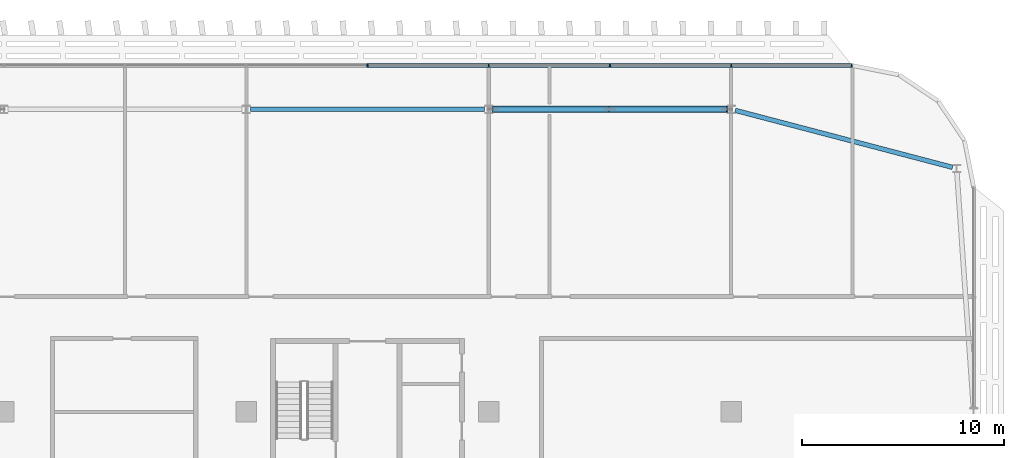
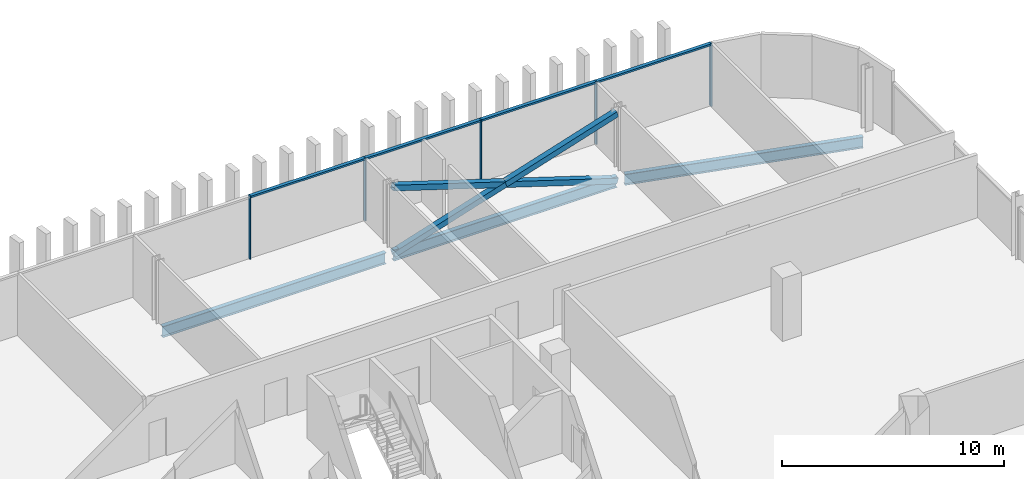
# One storey, part 14 of 32: 12 members, 3 beams, 1 element without a shape of its own.
"""IFC4 building model written with IfcOpenShell, lengths in metres."""

from ifc_helpers import new_model, si_unit, direction, frame, origin, origin_2d, place, context, subcontext, project, spatial, rectangle, hollow_rectangle, i_section, extrude, material, material_profile, profile_set, type_object, element, aggregate, save


model = new_model("IFC4")

# Units and contexts
model_context = context("Model", 3, precision=1e-05, world=origin(), true_north=direction((0.0, 1.0)))
body_context = subcontext(model_context, "Body", "Model", "MODEL_VIEW")
ifc_project = project(units=[si_unit("LENGTHUNIT", "METRE"), si_unit("AREAUNIT", "SQUARE_METRE"), si_unit("VOLUMEUNIT", "CUBIC_METRE"), si_unit("PLANEANGLEUNIT", "RADIAN"), si_unit("MASSUNIT", "GRAM", prefix="KILO")], contexts=[model_context])

# Site, building, storey
site_placement = place(None, origin())
site = spatial("IfcSite", under=ifc_project, at=site_placement, CompositionType="ELEMENT")
building_placement = place(site_placement, origin())
building = spatial("IfcBuilding", under=site, at=building_placement, Name="Mahtab Terrace Research Tower", CompositionType="ELEMENT")
storey_placement = place(building_placement, frame((0.0, 0.0, 232.39990234375)))
storey = spatial("IfcBuildingStorey", under=building, at=storey_placement, Name="L56", CompositionType="ELEMENT", Elevation=232.39990234375)

# Members
ifc_material_1 = material(Name="Steel ASTM A500 Gr C", Category="steel")
ifc_material_profile_1 = material_profile(ifc_material_1, hollow_rectangle(XDim=0.3046875, YDim=0.3046875, WallThickness=0.015869140625, at=origin_2d()), Name="HSS12X12X5/8")
ifc_profile_set_1 = profile_set([ifc_material_profile_1], Name="Steel ASTM A500 Gr C")
member_type_1 = type_object("IfcMemberType", Name="HSS 12x12x5/8 brace XB121258", PredefinedType="BRACE", material=ifc_profile_set_1)
member_1_placement = place(storey_placement, frame((41.800537109375, 26.472900390625, -0.580322265625), z_axis=(-0.953338568311, 0.0, 0.301903252998), x_axis=(0.0, -1.0, 0.0)))
element("IfcMember", 1, at=member_1_placement, inside=storey, type_object=member_type_1, Name="Exoskeleton brace L56 02 a", PredefinedType="BRACE", context=body_context, shape_type="SweptSolid", body=[
    extrude(hollow_rectangle(XDim=0.3046875, YDim=0.3046875, WallThickness=0.015869140625, at=origin_2d()), origin(), (0.0, 0.0, 1.0), 12.1689453125),
])
for number, where, z_axis, x_axis, name in (
    (2, (30.199462890625, 26.472900390625, -0.580322265625), (0.953338568311, 0.0, 0.301903252998), (0.0, 1.0, 0.0), "Exoskeleton brace L56 02 b1"),
    (3, (36.0, 26.472900390625, 1.256591796875), (0.953338568311, 0.0, 0.301903252998), (0.0, 1.0, 0.0), "Exoskeleton brace L56 02 b2"),
):
    element("IfcMember", number, at=place(storey_placement, frame(where, z_axis=z_axis, x_axis=x_axis)), inside=storey, type_object=member_type_1, Name=name, PredefinedType="BRACE", context=body_context, shape_type="SweptSolid", body=[
        extrude(hollow_rectangle(XDim=0.3046875, YDim=0.3046875, WallThickness=0.015869140625, at=origin_2d()), origin(), (0.0, 0.0, 1.0), 6.08447265625),
    ])

# Curtain wall, members
ifc_material_2 = material(Name="Office ribbon curtain wall")
curtain_wall_type = type_object("IfcCurtainWallType", Name="Office ribbon curtain wall", PredefinedType="NOTDEFINED", material=ifc_material_2)
curtain_wall_placement = place(storey_placement, origin())
curtain_wall = element("IfcCurtainWall", 4, at=curtain_wall_placement, inside=storey, type_object=curtain_wall_type, Name="EN.L56.3.3", PredefinedType="NOTDEFINED")
ifc_material_3 = material(Name="Natural anodised aluminium", Category="aluminium")
ifc_material_profile_2 = material_profile(ifc_material_3, rectangle(XDim=0.179931640625, YDim=0.06005859375, at=origin_2d()), Name="MULLION 60x180")
ifc_profile_set_2 = profile_set([ifc_material_profile_2], Name="Natural anodised aluminium")
member_type_2 = type_object("IfcMemberType", Name="Office ribbon curtain wall mullion", PredefinedType="MULLION", material=ifc_profile_set_2)
member_2_placement = place(storey_placement, frame((47.969970703125, 28.638916015625, 0.0), z_axis=(0.0, 0.0, 1.0), x_axis=(0.0, -1.0, 0.0)))
member_2 = element("IfcMember", 5, at=member_2_placement, type_object=member_type_2, Name="CWO-7 mullion 1", PredefinedType="MULLION", context=body_context, shape_type="SweptSolid", body=[
    extrude(rectangle(XDim=0.179931640625, YDim=0.06005859375, at=origin_2d()), origin(), (0.0, 0.0, 1.0), 3.460205078125),
])
member_3_placement = place(storey_placement, frame((42.0, 28.638916015625, 0.0), z_axis=(0.0, 0.0, 1.0), x_axis=(0.0, -1.0, 0.0)))
member_3 = element("IfcMember", 6, at=member_3_placement, type_object=member_type_2, Name="CWO-7 mullion 2", PredefinedType="MULLION", context=body_context, shape_type="SweptSolid", body=[
    extrude(rectangle(XDim=0.179931640625, YDim=0.06005859375, at=origin_2d()), origin(), (0.0, 0.0, 1.0), 3.460205078125),
])
member_4_placement = place(storey_placement, frame((36.0, 28.638916015625, 0.0), z_axis=(0.0, 0.0, 1.0), x_axis=(0.0, -1.0, 0.0)))
member_4 = element("IfcMember", 7, at=member_4_placement, type_object=member_type_2, Name="CWO-7 mullion 3", PredefinedType="MULLION", context=body_context, shape_type="SweptSolid", body=[
    extrude(rectangle(XDim=0.179931640625, YDim=0.06005859375, at=origin_2d()), origin(), (0.0, 0.0, 1.0), 3.460205078125),
])
member_5_placement = place(storey_placement, frame((30.0, 28.638916015625, 0.0), z_axis=(0.0, 0.0, 1.0), x_axis=(0.0, -1.0, 0.0)))
member_5 = element("IfcMember", 8, at=member_5_placement, type_object=member_type_2, Name="CWO-7 mullion 4", PredefinedType="MULLION", context=body_context, shape_type="SweptSolid", body=[
    extrude(rectangle(XDim=0.179931640625, YDim=0.06005859375, at=origin_2d()), origin(), (0.0, 0.0, 1.0), 3.460205078125),
])
member_6_placement = place(storey_placement, frame((24.0, 28.638916015625, 0.0), z_axis=(0.0, 0.0, 1.0), x_axis=(0.0, -1.0, 0.0)))
member_6 = element("IfcMember", 9, at=member_6_placement, type_object=member_type_2, Name="CWO-7 mullion 5", PredefinedType="MULLION", context=body_context, shape_type="SweptSolid", body=[
    extrude(rectangle(XDim=0.179931640625, YDim=0.06005859375, at=origin_2d()), origin(), (0.0, 0.0, 1.0), 3.460205078125),
])
ifc_material_profile_3 = material_profile(ifc_material_3, rectangle(XDim=0.179931640625, YDim=0.10009765625, at=origin_2d()), Name="TRANSOM 100x180")
ifc_profile_set_3 = profile_set([ifc_material_profile_3], Name="Natural anodised aluminium")
member_type_3 = type_object("IfcMemberType", Name="Office ribbon curtain wall transom", PredefinedType="USERDEFINED", material=ifc_profile_set_3)
member_7_placement = place(storey_placement, frame((47.93994140625, 28.638916015625, 3.41015625), z_axis=(-1.0, 0.0, 0.0), x_axis=(0.0, -1.0, 0.0)))
member_7 = element("IfcMember", 10, at=member_7_placement, type_object=member_type_3, Name="CWO-7 transom 1", ObjectType="TRANSOM", PredefinedType="USERDEFINED", context=body_context, shape_type="SweptSolid", body=[
    extrude(rectangle(XDim=0.179931640625, YDim=0.10009765625, at=origin_2d()), origin(), (0.0, 0.0, 1.0), 5.909912109375),
])
member_8_placement = place(storey_placement, frame((41.969970703125, 28.638916015625, 3.41015625), z_axis=(-1.0, 0.0, 0.0), x_axis=(0.0, -1.0, 0.0)))
member_8 = element("IfcMember", 11, at=member_8_placement, type_object=member_type_3, Name="CWO-7 transom 2", ObjectType="TRANSOM", PredefinedType="USERDEFINED", context=body_context, shape_type="SweptSolid", body=[
    extrude(rectangle(XDim=0.179931640625, YDim=0.10009765625, at=origin_2d()), origin(), (0.0, 0.0, 1.0), 5.93994140625),
])
member_9_placement = place(storey_placement, frame((35.969970703125, 28.638916015625, 3.41015625), z_axis=(-1.0, 0.0, 0.0), x_axis=(0.0, -1.0, 0.0)))
member_9 = element("IfcMember", 12, at=member_9_placement, type_object=member_type_3, Name="CWO-7 transom 3", ObjectType="TRANSOM", PredefinedType="USERDEFINED", context=body_context, shape_type="SweptSolid", body=[
    extrude(rectangle(XDim=0.179931640625, YDim=0.10009765625, at=origin_2d()), origin(), (0.0, 0.0, 1.0), 5.93994140625),
])
member_10_placement = place(storey_placement, frame((29.969970703125, 28.638916015625, 3.41015625), z_axis=(-1.0, 0.0, 0.0), x_axis=(0.0, -1.0, 0.0)))
member_10 = element("IfcMember", 13, at=member_10_placement, type_object=member_type_3, Name="CWO-7 transom 4", ObjectType="TRANSOM", PredefinedType="USERDEFINED", context=body_context, shape_type="SweptSolid", body=[
    extrude(rectangle(XDim=0.179931640625, YDim=0.10009765625, at=origin_2d()), origin(), (0.0, 0.0, 1.0), 5.93994140625),
])
aggregate(curtain_wall, [member_2, member_3, member_4, member_5, member_6, member_7, member_8, member_9, member_10])

# Beams
ifc_material_4 = material(Name="Steel ASTM A992 Gr 50", Category="steel")
ifc_material_profile_4 = material_profile(ifc_material_4, i_section(OverallWidth=0.228271484375, OverallDepth=0.607177734375, WebThickness=0.01123046875, FlangeThickness=0.017333984375, at=origin_2d()), Name="W24X76")
ifc_profile_set_4 = profile_set([ifc_material_profile_4], Name="Steel ASTM A992 Gr 50")
beam_type = type_object("IfcBeamType", Name="W24x76 beam BS2476", PredefinedType="BEAM", material=ifc_profile_set_4)
beam_placement = place(storey_placement, frame((52.95458984375, 23.598388671875, -0.6435546875), z_axis=(-0.967252058434, 0.253817760323, 0.0), x_axis=(-0.253817760323, -0.967252058434, 0.0)))
element("IfcBeam", 14, at=beam_placement, inside=storey, type_object=beam_type, Name="Spandrel beam L56 01", PredefinedType="BEAM", context=body_context, shape_type="SweptSolid", body=[
    extrude(i_section(OverallWidth=0.228271484375, OverallDepth=0.607177734375, WebThickness=0.01123046875, FlangeThickness=0.017333984375, at=origin_2d()), origin(), (0.0, 0.0, 1.0), 11.119140625),
])
for number, where, z_axis, x_axis, name in (
    (15, (41.800537109375, 26.472900390625, -0.6435546875), (-1.0, 0.0, 0.0), (0.0, -1.0, 0.0), "Spandrel beam L56 02"),
    (16, (29.800537109375, 26.472900390625, -0.6435546875), (-1.0, 0.0, 0.0), (0.0, -1.0, 0.0), "Spandrel beam L56 03"),
):
    element("IfcBeam", number, at=place(storey_placement, frame(where, z_axis=z_axis, x_axis=x_axis)), inside=storey, type_object=beam_type, Name=name, PredefinedType="BEAM", context=body_context, shape_type="SweptSolid", body=[
        extrude(i_section(OverallWidth=0.228271484375, OverallDepth=0.607177734375, WebThickness=0.01123046875, FlangeThickness=0.017333984375, at=origin_2d()), origin(), (0.0, 0.0, 1.0), 11.60107421875),
    ])

save(model, "model.ifc")
